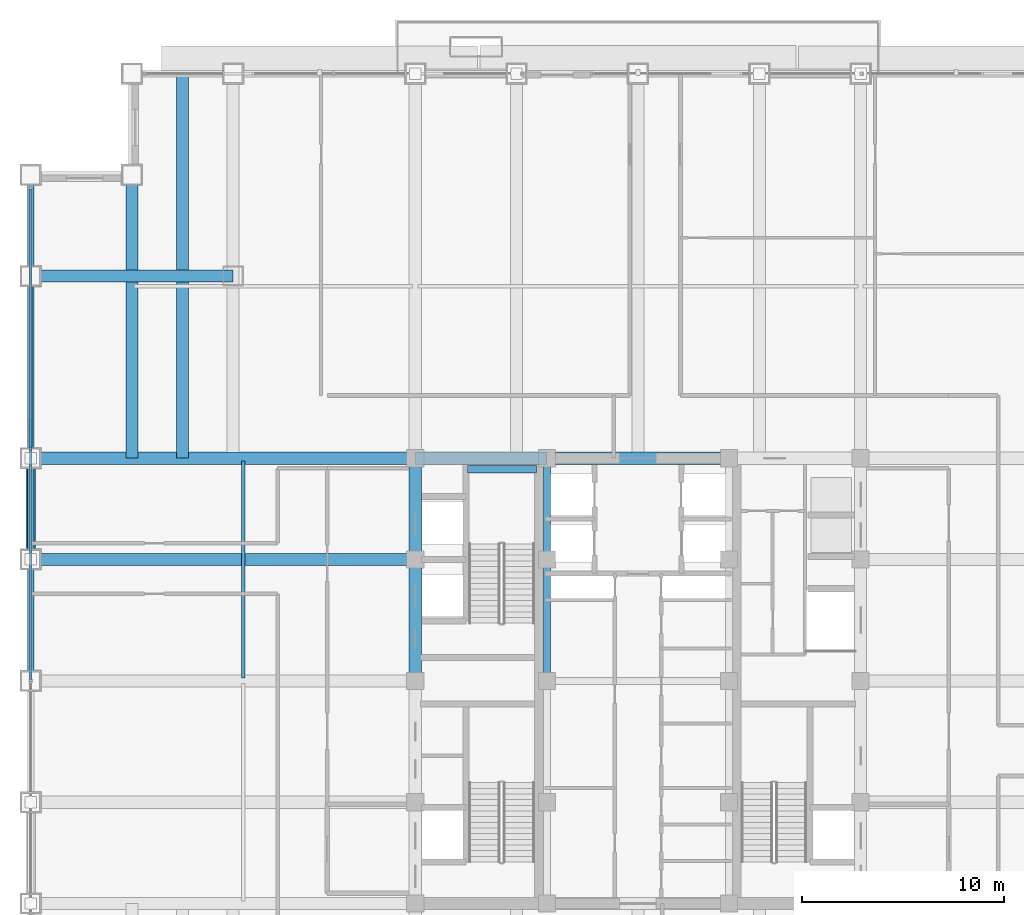
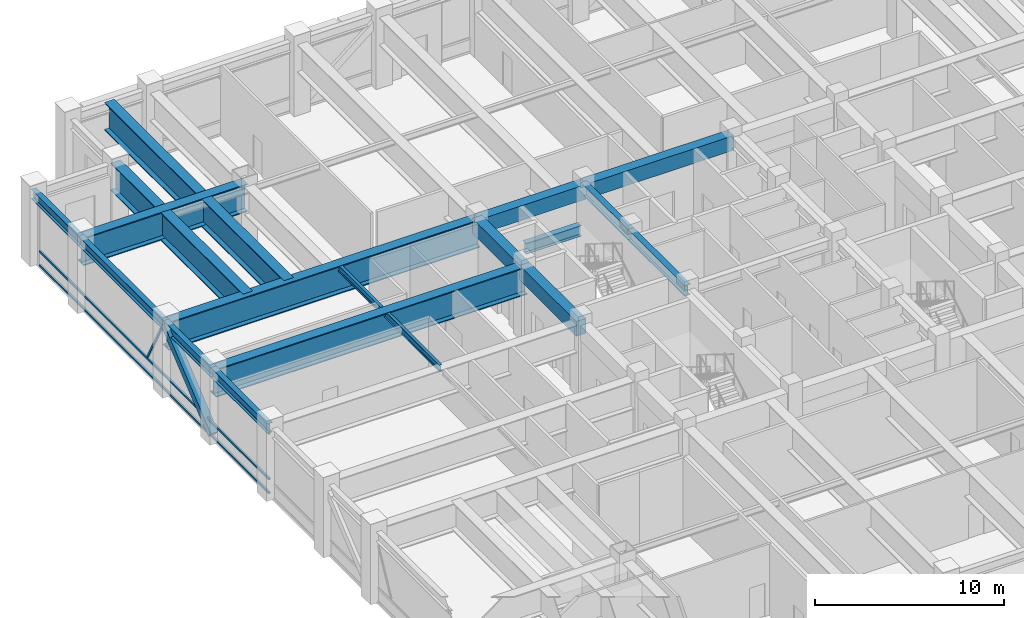
# One storey, part 13 of 33: 17 beams, 5 members, 1 element without a shape of its own.
"""IFC4 building model written with IfcOpenShell, lengths in metres."""

from ifc_helpers import new_model, si_unit, direction, frame, origin, origin_2d, place, context, subcontext, project, spatial, rectangle, hollow_rectangle, i_section, extrude, source, transform, mapped, material, material_profile, profile_set, type_object, element, aggregate, save


model = new_model("IFC4")

# Units and contexts
model_context = context("Model", 3, precision=1e-05, world=origin(), true_north=direction((0.0, 1.0)))
body_context = subcontext(model_context, "Body", "Model", "MODEL_VIEW")
ifc_project = project(units=[si_unit("LENGTHUNIT", "METRE"), si_unit("AREAUNIT", "SQUARE_METRE"), si_unit("VOLUMEUNIT", "CUBIC_METRE"), si_unit("PLANEANGLEUNIT", "RADIAN"), si_unit("MASSUNIT", "GRAM", prefix="KILO")], contexts=[model_context])

# Site, building, storey
site_placement = place(None, origin())
site = spatial("IfcSite", under=ifc_project, at=site_placement, CompositionType="ELEMENT")
building_placement = place(site_placement, origin())
building = spatial("IfcBuilding", under=site, at=building_placement, Name="Khorayat Bourse Tower", CompositionType="ELEMENT")
storey_placement = place(building_placement, frame((0.0, 0.0, 263.10009765625)))
storey = spatial("IfcBuildingStorey", under=building, at=storey_placement, Name="L62", CompositionType="ELEMENT", Elevation=263.10009765625)

# Beams
ifc_material_1 = material(Name="Steel ASTM A992 Grade 50", Category="steel")
ifc_material_profile_1 = material_profile(ifc_material_1, i_section(OverallWidth=0.35498046875, OverallDepth=0.695068359375, WebThickness=0.015380859375, FlangeThickness=0.02490234375, FilletRadius=0.01806640625, at=origin_2d()), Name="W690X217")
ifc_profile_set_1 = profile_set([ifc_material_profile_1], Name="Steel ASTM A992 Grade 50")
beam_type_1 = type_object("IfcBeamType", Name="BM-GIRD-690", PredefinedType="BEAM", material=ifc_profile_set_1)
shared_shape_1 = source(origin(), body_context, "Body", "SweptSolid", [
    extrude(i_section(OverallWidth=0.35498046875, OverallDepth=0.695068359375, WebThickness=0.015380859375, FlangeThickness=0.02490234375, FilletRadius=0.01806640625, at=origin_2d()), origin(), (0.0, 0.0, 1.0), 5.0),
])
beam_1_placement = place(storey_placement, frame((-4.5, 6.0, 4.25244140625), z_axis=(0.0, 1.0, 0.0), x_axis=(-1.0, 0.0, 0.0)))
element("IfcBeam", 1, at=beam_1_placement, inside=storey, type_object=beam_type_1, Name="L62 BM-GIRD-690 BM-L62-CRX-08", PredefinedType="BEAM", context=body_context, shape_type="MappedRepresentation", body=[
    mapped(shared_shape_1, transform((0.0, 0.0, 0.0), scale=1.0)),
])
shared_shape_2 = source(origin(), body_context, "Body", "SweptSolid", [
    extrude(i_section(OverallWidth=0.35498046875, OverallDepth=0.695068359375, WebThickness=0.015380859375, FlangeThickness=0.02490234375, FilletRadius=0.01806640625, at=origin_2d()), origin(), (0.0, 0.0, 1.0), 6.0),
])
beam_2_placement = place(storey_placement, frame((-4.5, 0.0, 4.25244140625), z_axis=(0.0, 1.0, 0.0), x_axis=(-1.0, 0.0, 0.0)))
element("IfcBeam", 2, at=beam_2_placement, inside=storey, type_object=beam_type_1, Name="L62 BM-GIRD-690 BM-L62-CRX-07", PredefinedType="BEAM", context=body_context, shape_type="MappedRepresentation", body=[
    mapped(shared_shape_2, transform((0.0, 0.0, 0.0), scale=1.0)),
])
shared_shape_3 = source(origin(), body_context, "Body", "SweptSolid", [
    extrude(i_section(OverallWidth=0.35498046875, OverallDepth=0.695068359375, WebThickness=0.015380859375, FlangeThickness=0.02490234375, FilletRadius=0.01806640625, at=origin_2d()), origin(), (0.0, 0.0, 1.0), 3.39990234375),
])
beam_3_placement = place(storey_placement, frame((-8.419921875, 10.449951171875, 2.052490234375), z_axis=(1.0, 0.0, 0.0), x_axis=(0.0, 1.0, 0.0)))
element("IfcBeam", 3, at=beam_3_placement, inside=storey, type_object=beam_type_1, Name="L62 BM-GIRD-690 BM-L62-ST2L", PredefinedType="BEAM", context=body_context, shape_type="MappedRepresentation", body=[
    mapped(shared_shape_3, transform((0.0, 0.0, 0.0), scale=1.0)),
])
ifc_material_2 = material(Name="Steel EN 10025-4 S460M", Category="steel")
ifc_material_profile_2 = material_profile(ifc_material_2, i_section(OverallWidth=0.60009765625, OverallDepth=1.800048828125, WebThickness=0.031982421875, FlangeThickness=0.06005859375, at=origin_2d()), Name="PG 1800x600x32x60")
ifc_profile_set_2 = profile_set([ifc_material_profile_2], Name="Steel EN 10025-4 S460M")
beam_type_2 = type_object("IfcBeamType", Name="BM-TR-1800", PredefinedType="BEAM", material=ifc_profile_set_2)
shared_shape_4 = source(origin(), body_context, "Body", "SweptSolid", [
    extrude(i_section(OverallWidth=0.60009765625, OverallDepth=1.800048828125, WebThickness=0.031982421875, FlangeThickness=0.06005859375, at=origin_2d()), origin(), (0.0, 0.0, 1.0), 14.0),
])
beam_4_placement = place(storey_placement, frame((-25.0, 11.0, 3.699951171875), z_axis=(0.0, 1.0, 0.0), x_axis=(-1.0, 0.0, 0.0)))
element("IfcBeam", 4, at=beam_4_placement, inside=storey, type_object=beam_type_2, Name="L62 BM-TR-1800 BM-L62-CNRY-093", PredefinedType="BEAM", context=body_context, shape_type="MappedRepresentation", body=[
    mapped(shared_shape_4, transform((0.0, 0.0, 0.0), scale=1.0)),
])
shared_shape_5 = source(origin(), body_context, "Body", "SweptSolid", [
    extrude(i_section(OverallWidth=0.60009765625, OverallDepth=1.800048828125, WebThickness=0.031982421875, FlangeThickness=0.06005859375, at=origin_2d()), origin(), (0.0, 0.0, 1.0), 10.0),
])
beam_5_placement = place(storey_placement, frame((-30.0, 20.0, 3.699951171875), z_axis=(1.0, 0.0, 0.0), x_axis=(0.0, 1.0, 0.0)))
element("IfcBeam", 5, at=beam_5_placement, inside=storey, type_object=beam_type_2, Name="L62 BM-TR-1800 BM-L62-CNRX-099", PredefinedType="BEAM", context=body_context, shape_type="MappedRepresentation", body=[
    mapped(shared_shape_5, transform((0.0, 0.0, 0.0), scale=1.0)),
])
ifc_material_profile_3 = material_profile(ifc_material_1, i_section(OverallWidth=0.180908203125, OverallDepth=0.4169921875, WebThickness=0.010986328125, FlangeThickness=0.018310546875, FilletRadius=0.011962890625, at=origin_2d()), Name="W410X85")
ifc_profile_set_3 = profile_set([ifc_material_profile_3], Name="Steel ASTM A992 Grade 50")
beam_type_3 = type_object("IfcBeamType", Name="BM-JOIST-410", PredefinedType="JOIST", material=ifc_profile_set_3)
shared_shape_6 = source(origin(), body_context, "Body", "SweptSolid", [
    extrude(i_section(OverallWidth=0.180908203125, OverallDepth=0.4169921875, WebThickness=0.010986328125, FlangeThickness=0.018310546875, FilletRadius=0.011962890625, at=origin_2d()), origin(), (0.0, 0.0, 1.0), 10.740234375),
])
beam_6_placement = place(storey_placement, frame((-19.5, 0.1298828125, 4.391357421875), z_axis=(0.0, 1.0, 0.0), x_axis=(-1.0, 0.0, 0.0)))
element("IfcBeam", 6, at=beam_6_placement, inside=storey, type_object=beam_type_3, Name="L62 BM-JOIST-410 BM-L62-JSTY-111", PredefinedType="JOIST", context=body_context, shape_type="MappedRepresentation", body=[
    mapped(shared_shape_6, transform((0.0, 0.0, 0.0), scale=1.0)),
])
ifc_material_profile_4 = material_profile(ifc_material_1, i_section(OverallWidth=0.324951171875, OverallDepth=0.615966796875, WebThickness=0.013916015625, FlangeThickness=0.021484375, FilletRadius=0.01611328125, at=origin_2d()), Name="W610X174")
ifc_profile_set_4 = profile_set([ifc_material_profile_4], Name="Steel ASTM A992 Grade 50")
beam_type_4 = type_object("IfcBeamType", Name="BM-SPAN-610", PredefinedType="SPANDREL", material=ifc_profile_set_4)
shared_shape_7 = source(origin(), body_context, "Body", "SweptSolid", [
    extrude(i_section(OverallWidth=0.324951171875, OverallDepth=0.615966796875, WebThickness=0.013916015625, FlangeThickness=0.021484375, FilletRadius=0.01611328125, at=origin_2d()), origin(), (0.0, 0.0, 1.0), 9.0),
])
beam_7_placement = place(storey_placement, frame((-30.0, 11.0, 4.2919921875), z_axis=(0.0, 1.0, 0.0), x_axis=(-1.0, 0.0, 0.0)))
element("IfcBeam", 7, at=beam_7_placement, inside=storey, type_object=beam_type_4, Name="L62 BM-SPAN-610 BM-L62-SPN-055", PredefinedType="SPANDREL", context=body_context, shape_type="MappedRepresentation", body=[
    mapped(shared_shape_7, transform((0.0, 0.0, 0.0), scale=1.0)),
])
shared_shape_8 = source(origin(), body_context, "Body", "SweptSolid", [
    extrude(i_section(OverallWidth=0.324951171875, OverallDepth=0.615966796875, WebThickness=0.013916015625, FlangeThickness=0.021484375, FilletRadius=0.01611328125, at=origin_2d()), origin(), (0.0, 0.0, 1.0), 5.0),
])
for number, where, z_axis, x_axis, name in (
    (8, (-30.0, 20.0, 4.2919921875), (0.0, 1.0, 0.0), (-1.0, 0.0, 0.0), "L62 BM-SPAN-610 BM-L62-SPN-054"),
    (9, (-30.0, 6.0, 4.2919921875), (0.0, 1.0, 0.0), (-1.0, 0.0, 0.0), "L62 BM-SPAN-610 BM-L62-SPN-056"),
):
    element("IfcBeam", number, at=place(storey_placement, frame(where, z_axis=z_axis, x_axis=x_axis)), inside=storey, type_object=beam_type_4, Name=name, PredefinedType="SPANDREL", context=body_context, shape_type="MappedRepresentation", body=[
        mapped(shared_shape_8, transform((0.0, 0.0, 0.0), scale=1.0)),
    ])
shared_shape_9 = source(origin(), body_context, "Body", "SweptSolid", [
    extrude(i_section(OverallWidth=0.324951171875, OverallDepth=0.615966796875, WebThickness=0.013916015625, FlangeThickness=0.021484375, FilletRadius=0.01611328125, at=origin_2d()), origin(), (0.0, 0.0, 1.0), 6.0),
])
beam_8_placement = place(storey_placement, frame((-30.0, 0.0, 4.2919921875), z_axis=(0.0, 1.0, 0.0), x_axis=(-1.0, 0.0, 0.0)))
element("IfcBeam", 10, at=beam_8_placement, inside=storey, type_object=beam_type_4, Name="L62 BM-SPAN-610 BM-L62-SPN-057", PredefinedType="SPANDREL", context=body_context, shape_type="MappedRepresentation", body=[
    mapped(shared_shape_9, transform((0.0, 0.0, 0.0), scale=1.0)),
])
ifc_material_3 = material(Name="Concrete C60/75", Category="concrete")
ifc_material_profile_5 = material_profile(ifc_material_3, rectangle(XDim=0.60009765625, YDim=0.949951171875, at=origin_2d()), Name="RC 600x950")
ifc_profile_set_5 = profile_set([ifc_material_profile_5], Name="Concrete C60/75")
beam_type_5 = type_object("IfcBeamType", Name="BM-COUP-950", PredefinedType="BEAM", material=ifc_profile_set_5)
shared_shape_10 = source(origin(), body_context, "Body", "SweptSolid", [
    extrude(rectangle(XDim=0.60009765625, YDim=0.949951171875, at=origin_2d()), origin(), (0.0, 0.0, 1.0), 5.0),
])
beam_9_placement = place(storey_placement, frame((-11.0, 6.0, 4.125), z_axis=(0.0, 1.0, 0.0), x_axis=(-1.0, 0.0, 0.0)))
element("IfcBeam", 11, at=beam_9_placement, inside=storey, type_object=beam_type_5, Name="L62 BM-COUP-950 BM-L62-CRX-04", PredefinedType="BEAM", context=body_context, shape_type="MappedRepresentation", body=[
    mapped(shared_shape_10, transform((0.0, 0.0, 0.0), scale=1.0)),
])
shared_shape_11 = source(origin(), body_context, "Body", "SweptSolid", [
    extrude(rectangle(XDim=0.60009765625, YDim=0.949951171875, at=origin_2d()), origin(), (0.0, 0.0, 1.0), 6.0),
])
beam_10_placement = place(storey_placement, frame((-11.0, 0.0, 4.125), z_axis=(0.0, 1.0, 0.0), x_axis=(-1.0, 0.0, 0.0)))
element("IfcBeam", 12, at=beam_10_placement, inside=storey, type_object=beam_type_5, Name="L62 BM-COUP-950 BM-L62-CRX-03", PredefinedType="BEAM", context=body_context, shape_type="MappedRepresentation", body=[
    mapped(shared_shape_11, transform((0.0, 0.0, 0.0), scale=1.0)),
])
shared_shape_12 = source(origin(), body_context, "Body", "SweptSolid", [
    extrude(rectangle(XDim=0.60009765625, YDim=0.949951171875, at=origin_2d()), origin(), (0.0, 0.0, 1.0), 6.5),
])
beam_11_placement = place(storey_placement, frame((-11.0, 11.0, 4.125), z_axis=(1.0, 0.0, 0.0), x_axis=(0.0, 1.0, 0.0)))
element("IfcBeam", 13, at=beam_11_placement, inside=storey, type_object=beam_type_5, Name="L62 BM-COUP-950 BM-L62-CRY-20", PredefinedType="BEAM", context=body_context, shape_type="MappedRepresentation", body=[
    mapped(shared_shape_12, transform((0.0, 0.0, 0.0), scale=1.0)),
])
shared_shape_13 = source(origin(), body_context, "Body", "SweptSolid", [
    extrude(rectangle(XDim=0.60009765625, YDim=0.949951171875, at=origin_2d()), origin(), (0.0, 0.0, 1.0), 9.0),
])
beam_12_placement = place(storey_placement, frame((-4.5, 11.0, 4.125), z_axis=(1.0, 0.0, 0.0), x_axis=(0.0, 1.0, 0.0)))
element("IfcBeam", 14, at=beam_12_placement, inside=storey, type_object=beam_type_5, Name="L62 BM-COUP-950 BM-L62-CRY-21", PredefinedType="BEAM", context=body_context, shape_type="MappedRepresentation", body=[
    mapped(shared_shape_13, transform((0.0, 0.0, 0.0), scale=1.0)),
])
shared_shape_14 = source(origin(), body_context, "Body", "SweptSolid", [
    extrude(i_section(OverallWidth=0.60009765625, OverallDepth=1.800048828125, WebThickness=0.031982421875, FlangeThickness=0.06005859375, at=origin_2d()), origin(), (0.0, 0.0, 1.0), 19.0),
])
for number, where, z_axis, x_axis, name in (
    (15, (-30.0, 6.0, 3.699951171875), (1.0, 0.0, 0.0), (0.0, 1.0, 0.0), "L62 BM-TR-1800 BM-L62-RADX-081"),
    (16, (-30.0, 11.0, 3.699951171875), (1.0, 0.0, 0.0), (0.0, 1.0, 0.0), "L62 BM-TR-1800 BM-L62-RADX-083"),
    (17, (-22.5, 11.0, 3.699951171875), (0.0, 1.0, 0.0), (-1.0, 0.0, 0.0), "L62 BM-TR-1800 BM-L62-CNRY-089"),
):
    element("IfcBeam", number, at=place(storey_placement, frame(where, z_axis=z_axis, x_axis=x_axis)), inside=storey, type_object=beam_type_2, Name=name, PredefinedType="BEAM", context=body_context, shape_type="MappedRepresentation", body=[
        mapped(shared_shape_14, transform((0.0, 0.0, 0.0), scale=1.0)),
    ])

# Member
ifc_material_profile_6 = material_profile(ifc_material_2, hollow_rectangle(XDim=0.449951171875, YDim=0.449951171875, WallThickness=0.02490234375, at=origin_2d()), Name="HSS 450x450x25")
ifc_profile_set_6 = profile_set([ifc_material_profile_6], Name="Steel EN 10025-4 S460M")
member_type_1 = type_object("IfcMemberType", Name="MBR-TUBE-450", PredefinedType="BRACE", material=ifc_profile_set_6)
shared_shape_15 = source(origin(), body_context, "Body", "SweptSolid", [
    extrude(hollow_rectangle(XDim=0.449951171875, YDim=0.449951171875, WallThickness=0.02490234375, at=origin_2d()), origin(), (0.0, 0.0, 1.0), 6.466064453125),
])
member_1_placement = place(storey_placement, frame((-30.0, 6.0, 0.25), z_axis=(0.0, 0.773278898257, 0.634066041916), x_axis=(-1.0, 0.0, 0.0)))
element("IfcMember", 18, at=member_1_placement, inside=storey, type_object=member_type_1, Name="L62 Perimeter Tube Brace 06", PredefinedType="BRACE", context=body_context, shape_type="MappedRepresentation", body=[
    mapped(shared_shape_15, transform((0.0, 0.0, 0.0), scale=1.0)),
])

# Curtain wall, members
ifc_material_4 = material(Name="Aluminium EN AW-6063 T6", Category="aluminium")
curtain_wall_type = type_object("IfcCurtainWallType", Name="CW-SYS-05", PredefinedType="NOTDEFINED", material=ifc_material_4)
curtain_wall_placement = place(storey_placement, origin())
curtain_wall = element("IfcCurtainWall", 19, at=curtain_wall_placement, inside=storey, type_object=curtain_wall_type, Name="L62 Curtain Wall CW-L62-W1", PredefinedType="NOTDEFINED")
ifc_material_profile_7 = material_profile(ifc_material_4, hollow_rectangle(XDim=0.1201171875, YDim=0.1201171875, WallThickness=0.0048828125, at=origin_2d()), Name="ALU 120x120x5")
ifc_profile_set_7 = profile_set([ifc_material_profile_7], Name="Aluminium EN AW-6063 T6")
member_type_2 = type_object("IfcMemberType", Name="CWM-DIAG-120", PredefinedType="MULLION", material=ifc_profile_set_7)
shared_shape_16 = source(origin(), body_context, "Body", "SweptSolid", [
    extrude(hollow_rectangle(XDim=0.1201171875, YDim=0.1201171875, WallThickness=0.0048828125, at=origin_2d()), origin(), (0.0, 0.0, 1.0), 3.006103515625),
])
member_2_placement = place(storey_placement, frame((-30.0, 12.889892578125, 1.08984375), z_axis=(0.0, -0.465699569312, 0.884942885808), x_axis=(1.0, 0.0, 0.0)))
member_2 = element("IfcMember", 20, at=member_2_placement, type_object=member_type_2, Name="CW-L62-W1 Faceted Diagonal Mullion 2", PredefinedType="MULLION", context=body_context, shape_type="MappedRepresentation", body=[
    mapped(shared_shape_16, transform((0.0, 0.0, 0.0), scale=1.0)),
])
ifc_material_profile_8 = material_profile(ifc_material_4, hollow_rectangle(XDim=0.1201171875, YDim=0.1201171875, WallThickness=0.0048828125, at=origin_2d()), Name="ALU 120x120x5")
ifc_profile_set_8 = profile_set([ifc_material_profile_8], Name="Aluminium EN AW-6063 T6")
member_type_3 = type_object("IfcMemberType", Name="CWT-HORZ-120", PredefinedType="USERDEFINED", material=ifc_profile_set_8)
shared_shape_17 = source(origin(), body_context, "Body", "SweptSolid", [
    extrude(hollow_rectangle(XDim=0.1201171875, YDim=0.1201171875, WallThickness=0.0048828125, at=origin_2d()), origin(), (0.0, 0.0, 1.0), 24.239990234375),
])
member_3_placement = place(storey_placement, frame((-30.0, 0.070068359375, 0.059814453125), z_axis=(0.0, 1.0, 0.0), x_axis=(-1.0, 0.0, 0.0)))
member_3 = element("IfcMember", 21, at=member_3_placement, type_object=member_type_3, Name="CW-L62-W1 Horizontal Transom 2-1", ObjectType="TRANSOM", PredefinedType="USERDEFINED", context=body_context, shape_type="MappedRepresentation", body=[
    mapped(shared_shape_17, transform((0.0, 0.0, 0.0), scale=1.0)),
])
member_4_placement = place(storey_placement, frame((-30.0, 0.070068359375, 0.949951171875), z_axis=(0.0, 1.0, 0.0), x_axis=(-1.0, 0.0, 0.0)))
member_4 = element("IfcMember", 22, at=member_4_placement, type_object=member_type_3, Name="CW-L62-W1 Horizontal Transom 2-2", ObjectType="TRANSOM", PredefinedType="USERDEFINED", context=body_context, shape_type="MappedRepresentation", body=[
    mapped(shared_shape_17, transform((0.0, 0.0, 0.0), scale=1.0)),
])
member_5_placement = place(storey_placement, frame((-30.0, 0.070068359375, 3.889892578125), z_axis=(0.0, 1.0, 0.0), x_axis=(-1.0, 0.0, 0.0)))
member_5 = element("IfcMember", 23, at=member_5_placement, type_object=member_type_3, Name="CW-L62-W1 Horizontal Transom 2-3", ObjectType="TRANSOM", PredefinedType="USERDEFINED", context=body_context, shape_type="MappedRepresentation", body=[
    mapped(shared_shape_17, transform((0.0, 0.0, 0.0), scale=1.0)),
])
aggregate(curtain_wall, [member_3, member_4, member_5, member_2])

save(model, "model.ifc")
